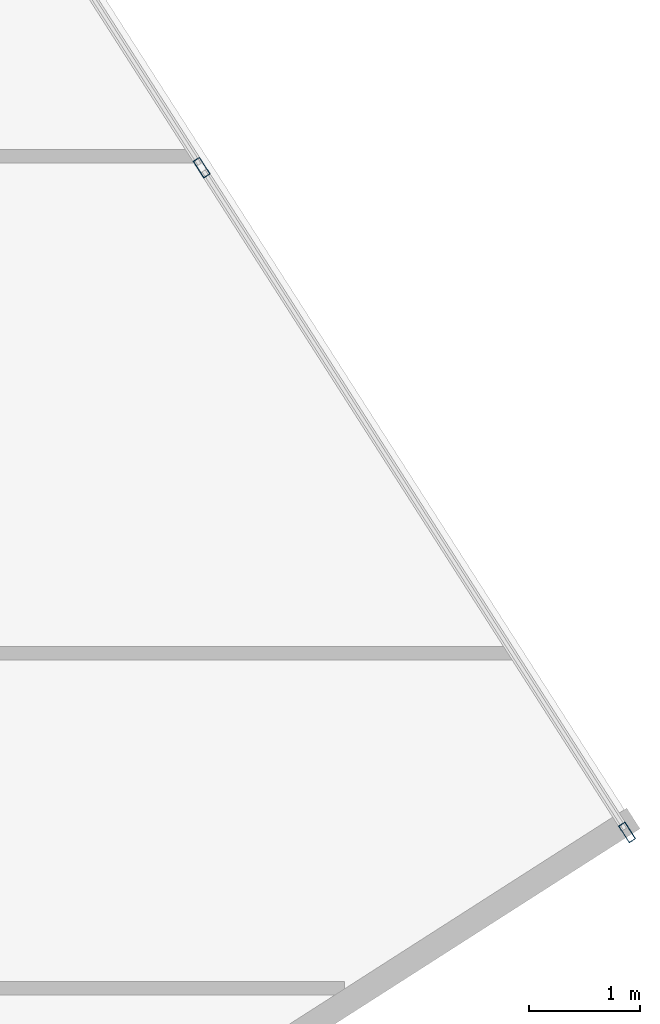
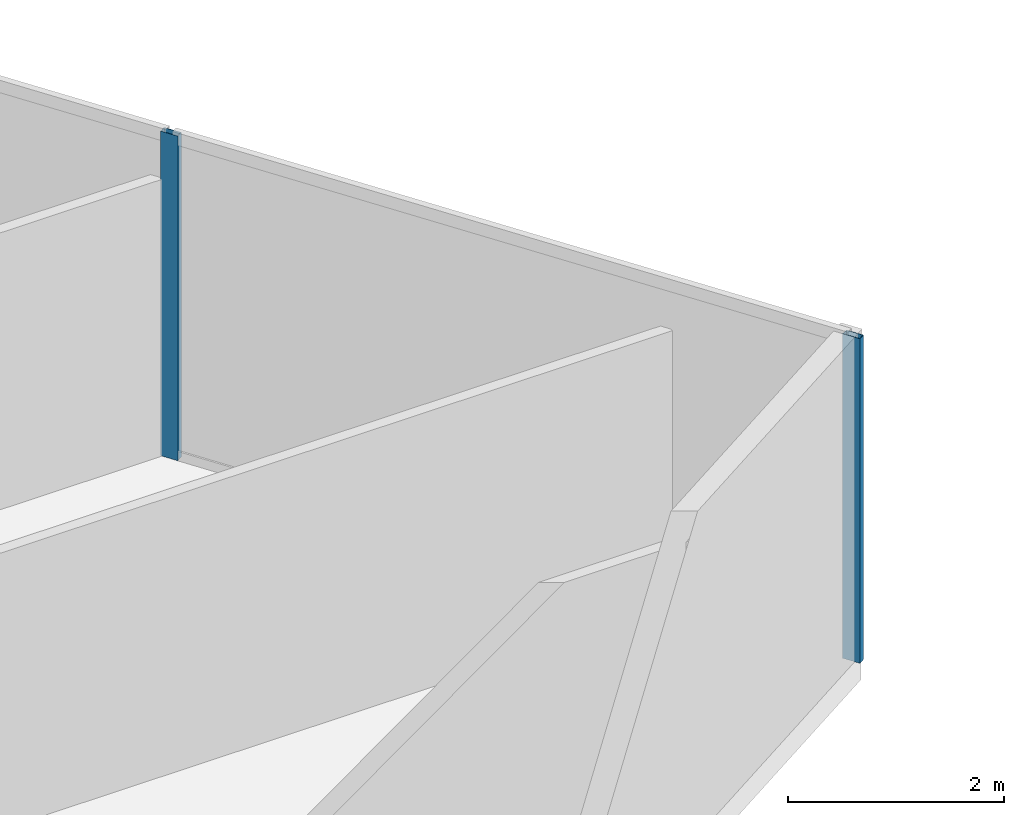
# One storey, part 10 of 20: 2 members, 1 element without a shape of its own.
"""IFC4 building model written with IfcOpenShell, lengths in metres."""

from ifc_helpers import new_model, si_unit, direction, frame, origin, origin_2d, place, context, subcontext, project, spatial, hollow_rectangle, extrude, source, transform, mapped, material, material_profile, profile_set, type_object, type_shapes, element, aggregate, save


model = new_model("IFC4")

# Units and contexts
model_context = context("Model", 3, precision=1e-05, world=origin(), true_north=direction((0.0, 1.0)))
body_context = subcontext(model_context, "Body", "Model", "MODEL_VIEW")
ifc_project = project(units=[si_unit("LENGTHUNIT", "METRE"), si_unit("AREAUNIT", "SQUARE_METRE"), si_unit("VOLUMEUNIT", "CUBIC_METRE"), si_unit("PLANEANGLEUNIT", "RADIAN"), si_unit("MASSUNIT", "GRAM", prefix="KILO")], contexts=[model_context])

# Site, building, storey
site_placement = place(None, origin())
site = spatial("IfcSite", under=ifc_project, at=site_placement, CompositionType="ELEMENT")
building_placement = place(site_placement, origin())
building = spatial("IfcBuilding", under=site, at=building_placement, Name="Krantzveldt Concourse Tower", CompositionType="ELEMENT")
storey_placement = place(building_placement, frame((0.0, 0.0, 287.14990234375)))
storey = spatial("IfcBuildingStorey", under=building, at=storey_placement, Name="L70", CompositionType="ELEMENT", Elevation=287.14990234375)

# Curtain wall, members
ifc_material = material(Name="Anodised aluminium 6063-T6", Category="aluminium")
curtain_wall_type = type_object("IfcCurtainWallType", Name="CW4", PredefinedType="USERDEFINED", material=ifc_material)
curtain_wall_placement = place(storey_placement, origin())
curtain_wall = element("IfcCurtainWall", 1, at=curtain_wall_placement, inside=storey, type_object=curtain_wall_type, Name="CW-L70-F10", ObjectType="UNITISED CURTAIN WALL", PredefinedType="USERDEFINED")
ifc_material_profile = material_profile(ifc_material, hollow_rectangle(XDim=0.070068359375, YDim=0.179931640625, WallThickness=0.0048828125, at=origin_2d()), Name="Anodised aluminium 6063-T6", Category="aluminium")
ifc_profile_set = profile_set([ifc_material_profile], Name="Anodised aluminium 6063-T6 - ALU-MULL 180x70x5")
member_type = type_object("IfcMemberType", Name="CW-MUL-180", PredefinedType="MULLION", material=ifc_profile_set)
shared_shape = source(origin(), body_context, "Body", "SweptSolid", [
    extrude(hollow_rectangle(XDim=0.070068359375, YDim=0.179931640625, WallThickness=0.0048828125, at=origin_2d()), origin(), (0.0, 0.0, 1.0), 3.670166015625),
])
type_shapes(member_type, [shared_shape])
member_1_placement = place(storey_placement, frame((60.12255859375, 25.204345703125, 0.0), z_axis=(0.0, 0.0, 1.0), x_axis=(-0.842217243088, -0.53913830827, 0.0)))
member_1 = element("IfcMember", 2, at=member_1_placement, type_object=member_type, Name="CW-Z56 mullion 1", PredefinedType="MULLION", context=body_context, shape_type="MappedRepresentation", body=[
    mapped(shared_shape, transform((0.0, 0.0, 0.0), x_axis=(1.0, 0.0, 0.0), y_axis=(0.0, 1.0, 0.0), z_axis=(0.0, 0.0, 1.0), scale=1.0)),
])
member_2_placement = place(storey_placement, frame((56.28662109375, 31.19677734375, 0.0), z_axis=(0.0, 0.0, 1.0), x_axis=(-0.842217243088, -0.53913830827, 0.0)))
member_2 = element("IfcMember", 3, at=member_2_placement, type_object=member_type, Name="CW-Z56 mullion 2", PredefinedType="MULLION", context=body_context, shape_type="MappedRepresentation", body=[
    mapped(shared_shape, transform((0.0, 0.0, 0.0), x_axis=(1.0, 0.0, 0.0), y_axis=(0.0, 1.0, 0.0), z_axis=(0.0, 0.0, 1.0), scale=1.0)),
])
aggregate(curtain_wall, [member_1, member_2])

save(model, "model.ifc")
